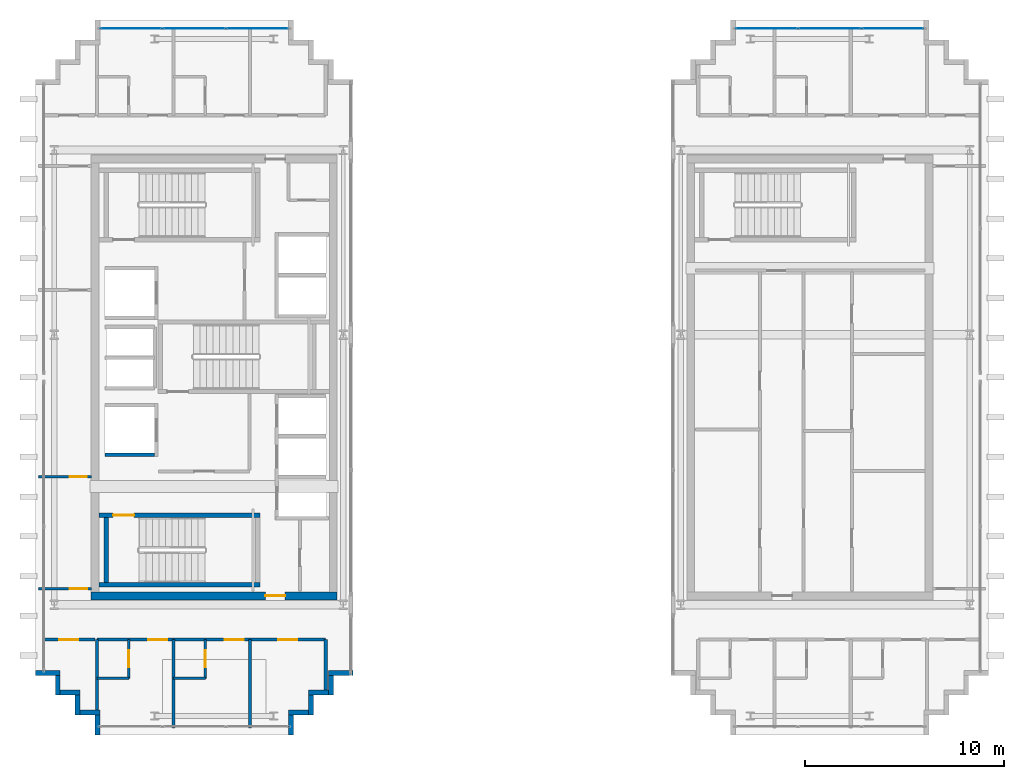
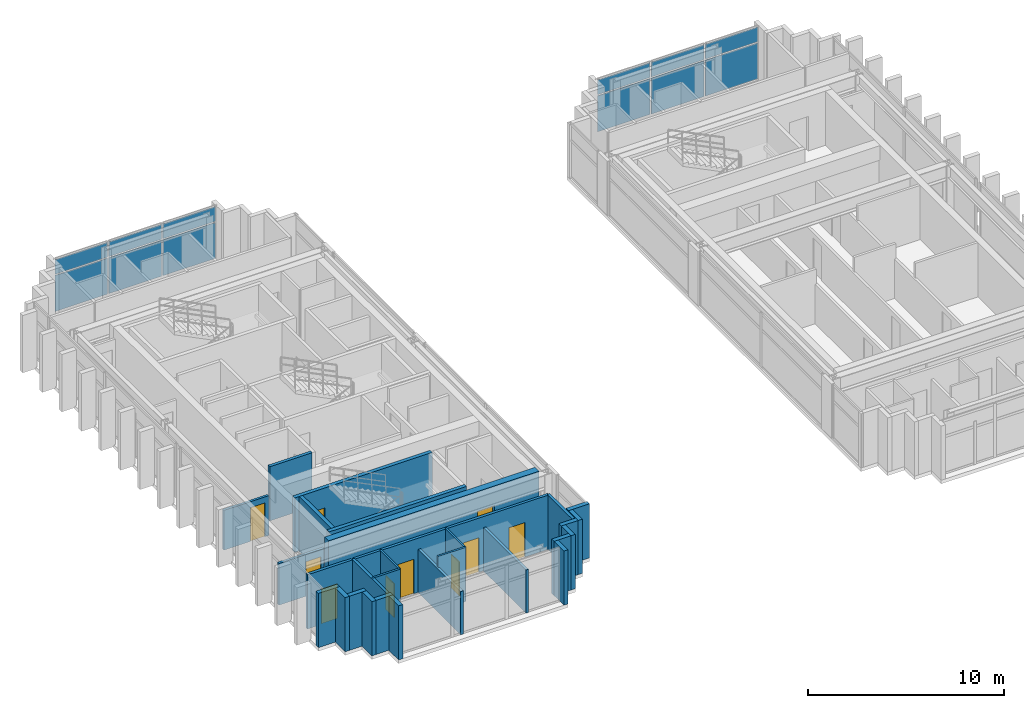
# One storey, part 19 of 25: 29 walls, 12 plates, 10 doors, 10 openings, 2 elements without a shape of their own.
"""IFC4 building model written with IfcOpenShell, lengths in metres."""

from ifc_helpers import new_model, si_unit, direction, frame, frame_2d, origin, origin_2d, place, context, subcontext, project, spatial, rectangle, extrude, source, transform, mapped, material, layer, layer_set, type_object, element, fill, aggregate, save


model = new_model("IFC4")

# Units and contexts
model_context = context("Model", 3, precision=1e-05, world=origin(), true_north=direction((0.0, 1.0)))
body_context = subcontext(model_context, "Body", "Model", "MODEL_VIEW")
ifc_project = project(units=[si_unit("LENGTHUNIT", "METRE"), si_unit("AREAUNIT", "SQUARE_METRE"), si_unit("VOLUMEUNIT", "CUBIC_METRE"), si_unit("PLANEANGLEUNIT", "RADIAN"), si_unit("MASSUNIT", "GRAM", prefix="KILO")], contexts=[model_context])

# Site, building, storey
site_placement = place(None, origin())
site = spatial("IfcSite", under=ifc_project, at=site_placement, CompositionType="ELEMENT")
building_placement = place(site_placement, origin())
building = spatial("IfcBuilding", under=site, at=building_placement, Name="Ocotamira Hotel", CompositionType="ELEMENT")
storey_placement = place(building_placement, frame((0.0, 0.0, 265.199951171875)))
storey = spatial("IfcBuildingStorey", under=building, at=storey_placement, Name="L67", CompositionType="ELEMENT", Elevation=265.199951171875)

# Curtain wall, plates
ifc_material_1 = material(Name="Anodised pale-metal aluminium and solar glass", Category="aluminium")
ifc_layer_1 = layer(ifc_material_1, 0.2099609375)
ifc_layer_set_1 = layer_set([ifc_layer_1], Name="Anodised pale-metal aluminium and solar glass")
curtain_wall_type = type_object("IfcCurtainWallType", Name="CW-SYS7-PEAK", PredefinedType="NOTDEFINED", material=ifc_layer_set_1)
curtain_wall_1_placement = place(storey_placement, origin())
curtain_wall_1 = element("IfcCurtainWall", 1, at=curtain_wall_1_placement, inside=storey, type_object=curtain_wall_type, Name="L67 Curtain Wall CW-7 CW-L67-WN", PredefinedType="NOTDEFINED")
ifc_material_2 = material(Name="Double-silver low-E insulated solar glass", Category="glass")
ifc_layer_2 = layer(ifc_material_2, 0.031982421875)
ifc_layer_set_2 = layer_set([ifc_layer_2], Name="Double-silver low-E insulated solar glass")
plate_type = type_object("IfcPlateType", Name="CWP-VISION-32", PredefinedType="CURTAIN_PANEL", material=ifc_layer_set_2)
shared_shape_1 = source(origin(), body_context, "Body", "SweptSolid", [
    extrude(rectangle(XDim=3.080078125, YDim=0.031982421875, at=origin_2d()), origin(), (0.0, 0.0, 1.0), 2.237548828125),
])
plate_1_placement = place(storey_placement, frame((12.820068359375, 43.580078125, 0.0751953125), z_axis=(0.0, 0.0, 1.0), x_axis=(1.0, 0.0, 0.0)))
plate_1 = element("IfcPlate", 2, at=plate_1_placement, type_object=plate_type, Name="CW-7 panel 1.1", PredefinedType="CURTAIN_PANEL", context=body_context, shape_type="MappedRepresentation", body=[
    mapped(shared_shape_1, transform((0.0, 0.0, 0.0), scale=1.0)),
])
plate_2_placement = place(storey_placement, frame((19.179931640625, 43.580078125, 0.0751953125), z_axis=(0.0, 0.0, 1.0), x_axis=(1.0, 0.0, 0.0)))
plate_2 = element("IfcPlate", 3, at=plate_2_placement, type_object=plate_type, Name="CW-7 panel 3.1", PredefinedType="CURTAIN_PANEL", context=body_context, shape_type="MappedRepresentation", body=[
    mapped(shared_shape_1, transform((0.0, 0.0, 0.0), scale=1.0)),
])

curtain_wall_2_placement = place(storey_placement, origin())
curtain_wall_2 = element("IfcCurtainWall", 4, at=curtain_wall_2_placement, inside=storey, type_object=curtain_wall_type, Name="L67 Curtain Wall CW-7 CW-L67-EN", PredefinedType="NOTDEFINED")
plate_3_placement = place(storey_placement, frame((44.820068359375, 43.580078125, 0.0751953125), z_axis=(0.0, 0.0, 1.0), x_axis=(1.0, 0.0, 0.0)))
plate_3 = element("IfcPlate", 5, at=plate_3_placement, type_object=plate_type, Name="CW-7 panel 1.1", PredefinedType="CURTAIN_PANEL", context=body_context, shape_type="MappedRepresentation", body=[
    mapped(shared_shape_1, transform((0.0, 0.0, 0.0), scale=1.0)),
])
plate_4_placement = place(storey_placement, frame((51.179931640625, 43.580078125, 0.0751953125), z_axis=(0.0, 0.0, 1.0), x_axis=(1.0, 0.0, 0.0)))
plate_4 = element("IfcPlate", 6, at=plate_4_placement, type_object=plate_type, Name="CW-7 panel 3.1", PredefinedType="CURTAIN_PANEL", context=body_context, shape_type="MappedRepresentation", body=[
    mapped(shared_shape_1, transform((0.0, 0.0, 0.0), scale=1.0)),
])

# Plate
shared_shape_2 = source(origin(), body_context, "Body", "SweptSolid", [
    extrude(rectangle(XDim=3.080078125, YDim=0.031982421875, at=origin_2d()), origin(), (0.0, 0.0, 1.0), 0.91748046875),
])
plate_5_placement = place(storey_placement, frame((12.820068359375, 43.580078125, 2.387451171875), z_axis=(0.0, 0.0, 1.0), x_axis=(1.0, 0.0, 0.0)))
plate_5 = element("IfcPlate", 7, at=plate_5_placement, type_object=plate_type, Name="CW-7 panel 1.2", PredefinedType="CURTAIN_PANEL", context=body_context, shape_type="MappedRepresentation", body=[
    mapped(shared_shape_2, transform((0.0, 0.0, 0.0), scale=1.0)),
])

plate_6_placement = place(storey_placement, frame((19.179931640625, 43.580078125, 2.387451171875), z_axis=(0.0, 0.0, 1.0), x_axis=(1.0, 0.0, 0.0)))
plate_6 = element("IfcPlate", 8, at=plate_6_placement, type_object=plate_type, Name="CW-7 panel 3.2", PredefinedType="CURTAIN_PANEL", context=body_context, shape_type="MappedRepresentation", body=[
    mapped(shared_shape_2, transform((0.0, 0.0, 0.0), scale=1.0)),
])

plate_7_placement = place(storey_placement, frame((44.820068359375, 43.580078125, 2.387451171875), z_axis=(0.0, 0.0, 1.0), x_axis=(1.0, 0.0, 0.0)))
plate_7 = element("IfcPlate", 9, at=plate_7_placement, type_object=plate_type, Name="CW-7 panel 1.2", PredefinedType="CURTAIN_PANEL", context=body_context, shape_type="MappedRepresentation", body=[
    mapped(shared_shape_2, transform((0.0, 0.0, 0.0), scale=1.0)),
])

plate_8_placement = place(storey_placement, frame((51.179931640625, 43.580078125, 2.387451171875), z_axis=(0.0, 0.0, 1.0), x_axis=(1.0, 0.0, 0.0)))
plate_8 = element("IfcPlate", 10, at=plate_8_placement, type_object=plate_type, Name="CW-7 panel 3.2", PredefinedType="CURTAIN_PANEL", context=body_context, shape_type="MappedRepresentation", body=[
    mapped(shared_shape_2, transform((0.0, 0.0, 0.0), scale=1.0)),
])

shared_shape_3 = source(origin(), body_context, "Body", "SweptSolid", [
    extrude(rectangle(XDim=3.1201171875, YDim=0.031982421875, at=origin_2d()), origin(), (0.0, 0.0, 1.0), 2.237548828125),
])
plate_9_placement = place(storey_placement, frame((16.0, 43.580078125, 0.0751953125), z_axis=(0.0, 0.0, 1.0), x_axis=(1.0, 0.0, 0.0)))
plate_9 = element("IfcPlate", 11, at=plate_9_placement, type_object=plate_type, Name="CW-7 panel 2.1", PredefinedType="CURTAIN_PANEL", context=body_context, shape_type="MappedRepresentation", body=[
    mapped(shared_shape_3, transform((0.0, 0.0, 0.0), scale=1.0)),
])

plate_10_placement = place(storey_placement, frame((48.0, 43.580078125, 0.0751953125), z_axis=(0.0, 0.0, 1.0), x_axis=(1.0, 0.0, 0.0)))
plate_10 = element("IfcPlate", 12, at=plate_10_placement, type_object=plate_type, Name="CW-7 panel 2.1", PredefinedType="CURTAIN_PANEL", context=body_context, shape_type="MappedRepresentation", body=[
    mapped(shared_shape_3, transform((0.0, 0.0, 0.0), scale=1.0)),
])

shared_shape_4 = source(origin(), body_context, "Body", "SweptSolid", [
    extrude(rectangle(XDim=3.1201171875, YDim=0.031982421875, at=origin_2d()), origin(), (0.0, 0.0, 1.0), 0.91748046875),
])
plate_11_placement = place(storey_placement, frame((16.0, 43.580078125, 2.387451171875), z_axis=(0.0, 0.0, 1.0), x_axis=(1.0, 0.0, 0.0)))
plate_11 = element("IfcPlate", 13, at=plate_11_placement, type_object=plate_type, Name="CW-7 panel 2.2", PredefinedType="CURTAIN_PANEL", context=body_context, shape_type="MappedRepresentation", body=[
    mapped(shared_shape_4, transform((0.0, 0.0, 0.0), scale=1.0)),
])

aggregate(curtain_wall_1, [plate_1, plate_5, plate_9, plate_11, plate_2, plate_6])

plate_12_placement = place(storey_placement, frame((48.0, 43.580078125, 2.387451171875), z_axis=(0.0, 0.0, 1.0), x_axis=(1.0, 0.0, 0.0)))
plate_12 = element("IfcPlate", 14, at=plate_12_placement, type_object=plate_type, Name="CW-7 panel 2.2", PredefinedType="CURTAIN_PANEL", context=body_context, shape_type="MappedRepresentation", body=[
    mapped(shared_shape_4, transform((0.0, 0.0, 0.0), scale=1.0)),
])

aggregate(curtain_wall_2, [plate_3, plate_7, plate_10, plate_12, plate_4, plate_8])

# Wall, opening, door
ifc_material_3 = material(Name="Concrete C50/60", Category="concrete")
ifc_layer_3 = layer(ifc_material_3, 0.39990234375)
ifc_layer_set_3 = layer_set([ifc_layer_3], Name="Concrete C50/60")
wall_type_1 = type_object("IfcWallType", Name="WL-CORE-400", PredefinedType="SHEAR", material=ifc_layer_set_3)
wall_1_placement = place(storey_placement, frame((10.800048828125, 15.0, 0.0), z_axis=(0.0, 0.0, 1.0), x_axis=(1.0, 0.0, 0.0)))
wall_1 = element("IfcWall", 15, at=wall_1_placement, inside=storey, type_object=wall_type_1, Name="L67 Shear Core Wall WCORE-S", PredefinedType="SHEAR", context=body_context, shape_type="SweptSolid", body=[
    extrude(rectangle(XDim=12.39990234375, YDim=0.39990234375, at=frame_2d((6.199951171875, 0.0))), origin(), (0.0, 0.0, 1.0), 3.380126953125),
])
opening_1_placement = place(wall_1_placement, frame((8.780029296875, 0.0, 0.0)))
opening_1 = element("IfcOpeningElement", 16, at=opening_1_placement, cuts=wall_1, Name="Opening D-FR2", PredefinedType="OPENING", context=body_context, shape_type="SweptSolid", body=[
    extrude(rectangle(XDim=1.0, YDim=2.14990234375, at=frame_2d((0.5, 1.074951171875))), frame((0.0, 0.2099609375, 0.0), z_axis=(0.0, -1.0, 0.0), x_axis=(1.0, 0.0, 0.0)), (0.0, 0.0, 1.0), 0.419921875),
])
ifc_material_4 = material(Name="Fire-rated acoustic timber-veneer door", Category="wood")
door_type_1 = type_object("IfcDoorType", Name="DR-FIRE-1000", OperationType="NOTDEFINED", PredefinedType="DOOR", material=ifc_material_4)
shared_shape_5 = source(origin(), body_context, "Body", "SweptSolid", [
    extrude(rectangle(XDim=1.0, YDim=2.14990234375, at=frame_2d((0.5, 1.074951171875))), frame((0.0, 0.02490234375, 0.0), z_axis=(0.0, -1.0, 0.0), x_axis=(1.0, 0.0, 0.0)), (0.0, 0.0, 1.0), 0.050048828125),
])
door_1_placement = place(opening_1_placement, origin())
door_1 = element("IfcDoor", 17, at=door_1_placement, inside=storey, type_object=door_type_1, Name="L67 Door ID-L67-WLOB-S-D [ID-L67-WLOB-S-D]", OperationType="SINGLE_SWING_LEFT", OverallHeight=2.14990234375, OverallWidth=1.0, PredefinedType="DOOR", context=body_context, shape_type="MappedRepresentation", body=[
    mapped(shared_shape_5, transform((0.0, 0.0, 0.0), scale=1.0)),
])
fill(opening_1, door_1)

# Walls
ifc_material_5 = material(Name="Precast concrete C45/55", Category="concrete")
ifc_layer_4 = layer(ifc_material_5, 0.25)
ifc_layer_set_4 = layer_set([ifc_layer_4], Name="Precast concrete C45/55")
wall_type_2 = type_object("IfcWallType", Name="WL-EXT-SER-250", PredefinedType="SOLIDWALL", material=ifc_layer_set_4)
for number, where, z_axis, x_axis, name in (
    (18, (20.875, 8.0, 0.0), (0.0, 0.0, 1.0), (0.0, 1.0, 0.0), "L67 -W Serrated Corner Wall 01"),
    (19, (20.75, 9.125, 0.0), (0.0, 0.0, 1.0), (1.0, 0.0, 0.0), "L67 -W Serrated Corner Wall 02"),
    (20, (21.875, 9.0, 0.0), (0.0, 0.0, 1.0), (0.0, 1.0, 0.0), "L67 -W Serrated Corner Wall 03"),
    (21, (21.75, 10.125, 0.0), (0.0, 0.0, 1.0), (1.0, 0.0, 0.0), "L67 -W Serrated Corner Wall 04"),
    (22, (22.875, 10.0, 0.0), (0.0, 0.0, 1.0), (0.0, 1.0, 0.0), "L67 -W Serrated Corner Wall 05"),
):
    element("IfcWall", number, at=place(storey_placement, frame(where, z_axis=z_axis, x_axis=x_axis)), inside=storey, type_object=wall_type_2, Name=name, PredefinedType="SOLIDWALL", context=body_context, shape_type="SweptSolid", body=[
        extrude(rectangle(XDim=1.0, YDim=0.25, at=frame_2d((0.5, 0.0))), origin(), (0.0, 0.0, 1.0), 3.380126953125),
    ])
for number, where, z_axis, x_axis, name in (
    (23, (22.75, 11.125, 0.0), (0.0, 0.0, 1.0), (1.0, 0.0, 0.0), "L67 -W Serrated Corner Wall 06"),
    (24, (8.0, 11.125, 0.0), (0.0, 0.0, 1.0), (1.0, 0.0, 0.0), "L67 -W Serrated Corner Wall 19"),
):
    element("IfcWall", number, at=place(storey_placement, frame(where, z_axis=z_axis, x_axis=x_axis)), inside=storey, type_object=wall_type_2, Name=name, PredefinedType="SOLIDWALL", context=body_context, shape_type="SweptSolid", body=[
        extrude(rectangle(XDim=1.25, YDim=0.25, at=frame_2d((0.625, 0.0))), origin(), (0.0, 0.0, 1.0), 3.380126953125),
    ])
for number, where, z_axis, x_axis, name in (
    (25, (9.125, 11.0, 0.0), (0.0, 0.0, 1.0), (0.0, -1.0, 0.0), "L67 -W Serrated Corner Wall 20"),
    (26, (9.25, 10.125, 0.0), (0.0, 0.0, 1.0), (1.0, 0.0, 0.0), "L67 -W Serrated Corner Wall 21"),
    (27, (10.125, 10.0, 0.0), (0.0, 0.0, 1.0), (0.0, -1.0, 0.0), "L67 -W Serrated Corner Wall 22"),
    (28, (10.25, 9.125, 0.0), (0.0, 0.0, 1.0), (1.0, 0.0, 0.0), "L67 -W Serrated Corner Wall 23"),
    (29, (11.125, 9.0, 0.0), (0.0, 0.0, 1.0), (0.0, -1.0, 0.0), "L67 -W Serrated Corner Wall 24"),
):
    element("IfcWall", number, at=place(storey_placement, frame(where, z_axis=z_axis, x_axis=x_axis)), inside=storey, type_object=wall_type_2, Name=name, PredefinedType="SOLIDWALL", context=body_context, shape_type="SweptSolid", body=[
        extrude(rectangle(XDim=1.0, YDim=0.25, at=frame_2d((0.5, 0.0))), origin(), (0.0, 0.0, 1.0), 3.380126953125),
    ])

# Wall, openings, doors
ifc_material_6 = material(Name="Acoustic double-layer fire gypsum board partition", Category="gypsum")
ifc_layer_5 = layer(ifc_material_6, 0.159912109375)
ifc_layer_set_5 = layer_set([ifc_layer_5], Name="Acoustic double-layer fire gypsum board partition")
wall_type_3 = type_object("IfcWallType", Name="WL-FIRE-160", PredefinedType="PARTITIONING", material=ifc_layer_set_5)
wall_2_placement = place(storey_placement, frame((11.10009765625, 12.800048828125, 0.0), z_axis=(0.0, 0.0, 1.0), x_axis=(1.0, 0.0, 0.0)))
wall_2 = element("IfcWall", 30, at=wall_2_placement, inside=storey, type_object=wall_type_3, Name="L67 Interior Wall PW-L67-SPW2S-CORRW", PredefinedType="PARTITIONING", context=body_context, shape_type="SweptSolid", body=[
    extrude(rectangle(XDim=11.52001953125, YDim=0.159912109375, at=frame_2d((5.760009765625, 0.0))), origin(), (0.0, 0.0, 1.0), 3.380126953125),
])
opening_2_placement = place(wall_2_placement, frame((2.590087890625, 0.0, 0.0)))
opening_2 = element("IfcOpeningElement", 31, at=opening_2_placement, cuts=wall_2, Name="Opening D-GR1", PredefinedType="OPENING", context=body_context, shape_type="SweptSolid", body=[
    extrude(rectangle(XDim=0.93994140625, YDim=2.14990234375, at=frame_2d((0.469970703125, 1.074951171875))), frame((0.0, 0.08984375, 0.0), z_axis=(0.0, -1.0, 0.0), x_axis=(1.0, 0.0, 0.0)), (0.0, 0.0, 1.0), 0.179931640625),
])
opening_3_placement = place(wall_2_placement, frame((6.43994140625, 0.0, 0.0)))
opening_3 = element("IfcOpeningElement", 32, at=opening_3_placement, cuts=wall_2, Name="Opening D-GR1", PredefinedType="OPENING", context=body_context, shape_type="SweptSolid", body=[
    extrude(rectangle(XDim=0.93994140625, YDim=2.14990234375, at=frame_2d((0.469970703125, 1.074951171875))), frame((0.0, 0.08984375, 0.0), z_axis=(0.0, -1.0, 0.0), x_axis=(1.0, 0.0, 0.0)), (0.0, 0.0, 1.0), 0.179931640625),
])
opening_4_placement = place(wall_2_placement, frame((9.1298828125, 0.0, 0.0)))
opening_4 = element("IfcOpeningElement", 33, at=opening_4_placement, cuts=wall_2, Name="Opening D-SV4", PredefinedType="OPENING", context=body_context, shape_type="SweptSolid", body=[
    extrude(rectangle(XDim=0.9599609375, YDim=2.14990234375, at=frame_2d((0.47998046875, 1.074951171875))), frame((0.0, 0.08984375, 0.0), z_axis=(0.0, -1.0, 0.0), x_axis=(1.0, 0.0, 0.0)), (0.0, 0.0, 1.0), 0.179931640625),
])
ifc_material_7 = material(Name="Fire-rated accessible walnut salon door", Category="wood")
door_type_2 = type_object("IfcDoorType", Name="DR-SERV-960", OperationType="NOTDEFINED", PredefinedType="DOOR", material=ifc_material_7)
shared_shape_6 = source(origin(), body_context, "Body", "SweptSolid", [
    extrude(rectangle(XDim=0.9599609375, YDim=2.14990234375, at=frame_2d((0.47998046875, 1.074951171875))), frame((0.0, 0.02490234375, 0.0), z_axis=(0.0, -1.0, 0.0), x_axis=(1.0, 0.0, 0.0)), (0.0, 0.0, 1.0), 0.050048828125),
])
door_2_placement = place(opening_4_placement, origin())
door_2 = element("IfcDoor", 34, at=door_2_placement, inside=storey, type_object=door_type_2, Name="L67 Door ID-L67-SPW2S-AMD3 [ID-L67-SPW2S-AMD3]", OperationType="SINGLE_SWING_LEFT", OverallHeight=2.14990234375, OverallWidth=0.9599609375, PredefinedType="DOOR", context=body_context, shape_type="MappedRepresentation", body=[
    mapped(shared_shape_6, transform((0.0, 0.0, 0.0), scale=1.0)),
])
fill(opening_4, door_2)
ifc_material_8 = material(Name="Solid-core walnut suite entrance fire door", Category="wood")
door_type_3 = type_object("IfcDoorType", Name="DR-GUEST-940", OperationType="NOTDEFINED", PredefinedType="DOOR", material=ifc_material_8)
shared_shape_7 = source(origin(), body_context, "Body", "SweptSolid", [
    extrude(rectangle(XDim=0.93994140625, YDim=2.14990234375, at=frame_2d((0.469970703125, 1.074951171875))), frame((0.0, 0.02490234375, 0.0), z_axis=(0.0, -1.0, 0.0), x_axis=(1.0, 0.0, 0.0)), (0.0, 0.0, 1.0), 0.050048828125),
])
door_3_placement = place(opening_2_placement, origin())
door_3 = element("IfcDoor", 35, at=door_3_placement, inside=storey, type_object=door_type_3, Name="L67 Door ID-L67-SPW2S-RMD1 [ID-L67-SPW2S-RMD1]", OperationType="SINGLE_SWING_LEFT", OverallHeight=2.14990234375, OverallWidth=0.93994140625, PredefinedType="DOOR", context=body_context, shape_type="MappedRepresentation", body=[
    mapped(shared_shape_7, transform((0.0, 0.0, 0.0), scale=1.0)),
])
fill(opening_2, door_3)
door_4_placement = place(opening_3_placement, origin())
door_4 = element("IfcDoor", 36, at=door_4_placement, inside=storey, type_object=door_type_3, Name="L67 Door ID-L67-SPW2S-RMD2 [ID-L67-SPW2S-RMD2]", OperationType="SINGLE_SWING_RIGHT", OverallHeight=2.14990234375, OverallWidth=0.93994140625, PredefinedType="DOOR", context=body_context, shape_type="MappedRepresentation", body=[
    mapped(shared_shape_7, transform((0.0, 0.0, 0.0), scale=1.0)),
])
fill(opening_3, door_4)

# Wall, opening, door
wall_3_placement = place(storey_placement, frame((8.35009765625, 12.800048828125, 0.0), z_axis=(0.0, 0.0, 1.0), x_axis=(1.0, 0.0, 0.0)))
wall_3 = element("IfcWall", 37, at=wall_3_placement, inside=storey, type_object=wall_type_3, Name="L67 Interior Wall PW-L67-SPCSW2-CW", PredefinedType="PARTITIONING", context=body_context, shape_type="SweptSolid", body=[
    extrude(rectangle(XDim=2.64990234375, YDim=0.159912109375, at=frame_2d((1.324951171875, 0.0))), origin(), (0.0, 0.0, 1.0), 3.380126953125),
])
opening_5_placement = place(wall_3_placement, frame((0.844970703125, 0.0, 0.0)))
opening_5 = element("IfcOpeningElement", 38, at=opening_5_placement, cuts=wall_3, Name="Opening D-SV4", PredefinedType="OPENING", context=body_context, shape_type="SweptSolid", body=[
    extrude(rectangle(XDim=0.9599609375, YDim=2.14990234375, at=frame_2d((0.47998046875, 1.074951171875))), frame((0.0, 0.08984375, 0.0), z_axis=(0.0, -1.0, 0.0), x_axis=(1.0, 0.0, 0.0)), (0.0, 0.0, 1.0), 0.179931640625),
])
door_5_placement = place(opening_5_placement, origin())
door_5 = element("IfcDoor", 39, at=door_5_placement, inside=storey, type_object=door_type_2, Name="L67 Door ID-L67-SPCSW2-CD [ID-L67-SPCSW2-CD]", OperationType="SINGLE_SWING_LEFT", OverallHeight=2.14990234375, OverallWidth=0.9599609375, PredefinedType="DOOR", context=body_context, shape_type="MappedRepresentation", body=[
    mapped(shared_shape_6, transform((0.0, 0.0, 0.0), scale=1.0)),
])
fill(opening_5, door_5)

ifc_material_9 = material(Name="Moisture-resistant en-suite tile and gypsum partition", Category="gypsum")
ifc_layer_6 = layer(ifc_material_9, 0.1201171875)
ifc_layer_set_6 = layer_set([ifc_layer_6], Name="Moisture-resistant en-suite tile and gypsum partition")
wall_type_4 = type_object("IfcWallType", Name="WL-PART-120", PredefinedType="PARTITIONING", material=ifc_layer_set_6)
wall_4_placement = place(storey_placement, frame((12.7099609375, 10.85009765625, 0.0), z_axis=(0.0, 0.0, 1.0), x_axis=(0.0, 1.0, 0.0)))
wall_4 = element("IfcWall", 40, at=wall_4_placement, inside=storey, type_object=wall_type_4, Name="L67 Interior Wall PW-L67-SPW2S-BAE1", PredefinedType="PARTITIONING", context=body_context, shape_type="SweptSolid", body=[
    extrude(rectangle(XDim=1.949951171875, YDim=0.1201171875, at=frame_2d((0.97509765625, 0.0))), origin(), (0.0, 0.0, 1.0), 3.380126953125),
])
opening_6_placement = place(wall_4_placement, frame((0.544921875, 0.0, 0.0)))
opening_6 = element("IfcOpeningElement", 41, at=opening_6_placement, cuts=wall_4, Name="Opening D-BA1", PredefinedType="OPENING", context=body_context, shape_type="SweptSolid", body=[
    extrude(rectangle(XDim=0.860107421875, YDim=2.10009765625, at=frame_2d((0.43017578125, 1.050048828125))), frame((0.0, 0.070068359375, 0.0), z_axis=(0.0, -1.0, 0.0), x_axis=(1.0, 0.0, 0.0)), (0.0, 0.0, 1.0), 0.14013671875),
])
ifc_material_10 = material(Name="Moisture-sealed en-suite timber door", Category="wood")
door_type_4 = type_object("IfcDoorType", Name="DR-BATH-860", OperationType="NOTDEFINED", PredefinedType="DOOR", material=ifc_material_10)
shared_shape_8 = source(origin(), body_context, "Body", "SweptSolid", [
    extrude(rectangle(XDim=0.860107421875, YDim=2.10009765625, at=frame_2d((0.43017578125, 1.050048828125))), frame((0.0, 0.02490234375, 0.0), z_axis=(0.0, -1.0, 0.0), x_axis=(1.0, 0.0, 0.0)), (0.0, 0.0, 1.0), 0.050048828125),
])
door_6_placement = place(opening_6_placement, origin())
door_6 = element("IfcDoor", 42, at=door_6_placement, inside=storey, type_object=door_type_4, Name="L67 Door ID-L67-SPW2S-BAD1 [ID-L67-SPW2S-BAD1]", OperationType="SINGLE_SWING_RIGHT", OverallHeight=2.10009765625, OverallWidth=0.860107421875, PredefinedType="DOOR", context=body_context, shape_type="MappedRepresentation", body=[
    mapped(shared_shape_8, transform((0.0, 0.0, 0.0), scale=1.0)),
])
fill(opening_6, door_6)

# Wall
wall_5_placement = place(storey_placement, frame((11.10009765625, 10.85009765625, 0.0), z_axis=(0.0, 0.0, 1.0), x_axis=(1.0, 0.0, 0.0)))
element("IfcWall", 43, at=wall_5_placement, inside=storey, type_object=wall_type_4, Name="L67 Interior Wall PW-L67-SPW2S-BAS1", PredefinedType="PARTITIONING", context=body_context, shape_type="SweptSolid", body=[
    extrude(rectangle(XDim=1.60986328125, YDim=0.1201171875, at=frame_2d((0.804931640625, 0.0))), origin(), (0.0, 0.0, 1.0), 3.380126953125),
])

# Wall, opening, door
wall_6_placement = place(storey_placement, frame((16.56005859375, 10.85009765625, 0.0), z_axis=(0.0, 0.0, 1.0), x_axis=(0.0, 1.0, 0.0)))
wall_6 = element("IfcWall", 44, at=wall_6_placement, inside=storey, type_object=wall_type_4, Name="L67 Interior Wall PW-L67-SPW2S-BAE2", PredefinedType="PARTITIONING", context=body_context, shape_type="SweptSolid", body=[
    extrude(rectangle(XDim=1.949951171875, YDim=0.1201171875, at=frame_2d((0.97509765625, 0.0))), origin(), (0.0, 0.0, 1.0), 3.380126953125),
])
opening_7_placement = place(wall_6_placement, frame((0.544921875, 0.0, 0.0)))
opening_7 = element("IfcOpeningElement", 45, at=opening_7_placement, cuts=wall_6, Name="Opening D-BA1", PredefinedType="OPENING", context=body_context, shape_type="SweptSolid", body=[
    extrude(rectangle(XDim=0.860107421875, YDim=2.10009765625, at=frame_2d((0.43017578125, 1.050048828125))), frame((0.0, 0.070068359375, 0.0), z_axis=(0.0, -1.0, 0.0), x_axis=(1.0, 0.0, 0.0)), (0.0, 0.0, 1.0), 0.14013671875),
])
door_7_placement = place(opening_7_placement, origin())
door_7 = element("IfcDoor", 46, at=door_7_placement, inside=storey, type_object=door_type_4, Name="L67 Door ID-L67-SPW2S-BAD2 [ID-L67-SPW2S-BAD2]", OperationType="SINGLE_SWING_LEFT", OverallHeight=2.10009765625, OverallWidth=0.860107421875, PredefinedType="DOOR", context=body_context, shape_type="MappedRepresentation", body=[
    mapped(shared_shape_8, transform((0.0, 0.0, 0.0), scale=1.0)),
])
fill(opening_7, door_7)

# Wall
wall_7_placement = place(storey_placement, frame((14.949951171875, 10.85009765625, 0.0), z_axis=(0.0, 0.0, 1.0), x_axis=(1.0, 0.0, 0.0)))
element("IfcWall", 47, at=wall_7_placement, inside=storey, type_object=wall_type_4, Name="L67 Interior Wall PW-L67-SPW2S-BAS2", PredefinedType="PARTITIONING", context=body_context, shape_type="SweptSolid", body=[
    extrude(rectangle(XDim=1.610107421875, YDim=0.1201171875, at=frame_2d((0.80517578125, 0.0))), origin(), (0.0, 0.0, 1.0), 3.380126953125),
])

# Wall, opening, door
ifc_material_11 = material(Name="Acoustic hospitality gypsum board partition", Category="gypsum")
ifc_layer_7 = layer(ifc_material_11, 0.14208984375)
ifc_layer_set_7 = layer_set([ifc_layer_7], Name="Acoustic hospitality gypsum board partition")
wall_type_5 = type_object("IfcWallType", Name="WL-PART-142", PredefinedType="PARTITIONING", material=ifc_layer_set_7)
wall_8_placement = place(storey_placement, frame((8.159912109375, 21.0, 0.0), z_axis=(0.0, 0.0, 1.0), x_axis=(1.0, 0.0, 0.0)))
wall_8 = element("IfcWall", 48, at=wall_8_placement, inside=storey, type_object=wall_type_5, Name="L67 Interior Wall PW-L67-SP2W-DV1", PredefinedType="PARTITIONING", context=body_context, shape_type="SweptSolid", body=[
    extrude(rectangle(XDim=2.66015625, YDim=0.14208984375, at=frame_2d((1.330078125, 0.0))), origin(), (0.0, 0.0, 1.0), 2.47998046875),
])
opening_8_placement = place(wall_8_placement, frame((1.580078125, 0.0, 0.0)))
opening_8 = element("IfcOpeningElement", 49, at=opening_8_placement, cuts=wall_8, Name="Opening D-SV1", PredefinedType="OPENING", context=body_context, shape_type="SweptSolid", body=[
    extrude(rectangle(XDim=0.840087890625, YDim=2.10009765625, at=frame_2d((0.419921875, 1.050048828125))), frame((0.0, 0.0810546875, 0.0), z_axis=(0.0, -1.0, 0.0), x_axis=(1.0, 0.0, 0.0)), (0.0, 0.0, 1.0), 0.162109375),
])
ifc_material_12 = material(Name="Fire-rated painted steel service door", Category="steel")
door_type_5 = type_object("IfcDoorType", Name="DR-SERV-840", OperationType="NOTDEFINED", PredefinedType="DOOR", material=ifc_material_12)
shared_shape_9 = source(origin(), body_context, "Body", "SweptSolid", [
    extrude(rectangle(XDim=0.840087890625, YDim=2.10009765625, at=frame_2d((0.419921875, 1.050048828125))), frame((0.0, 0.02490234375, 0.0), z_axis=(0.0, -1.0, 0.0), x_axis=(1.0, 0.0, 0.0)), (0.0, 0.0, 1.0), 0.050048828125),
])
door_8_placement = place(opening_8_placement, origin())
door_8 = element("IfcDoor", 50, at=door_8_placement, inside=storey, type_object=door_type_5, Name="L67 Door ID-L67-SP2W-DV1D [ID-L67-SP2W-DV1D]", OperationType="SINGLE_SWING_LEFT", OverallHeight=2.10009765625, OverallWidth=0.840087890625, PredefinedType="DOOR", context=body_context, shape_type="MappedRepresentation", body=[
    mapped(shared_shape_9, transform((0.0, 0.0, 0.0), scale=1.0)),
])
fill(opening_8, door_8)

ifc_layer_8 = layer(ifc_material_11, 0.14990234375)
ifc_layer_set_8 = layer_set([ifc_layer_8], Name="Acoustic hospitality gypsum board partition")
wall_type_6 = type_object("IfcWallType", Name="WL-PART-150", PredefinedType="PARTITIONING", material=ifc_layer_set_8)
wall_9_placement = place(storey_placement, frame((8.159912109375, 15.360107421875, 0.0), z_axis=(0.0, 0.0, 1.0), x_axis=(1.0, 0.0, 0.0)))
wall_9 = element("IfcWall", 51, at=wall_9_placement, inside=storey, type_object=wall_type_6, Name="L67 Interior Wall PW-L67-SP2W-WS", PredefinedType="PARTITIONING", context=body_context, shape_type="SweptSolid", body=[
    extrude(rectangle(XDim=2.66015625, YDim=0.14990234375, at=frame_2d((1.330078125, 0.0))), origin(), (0.0, 0.0, 1.0), 2.60107421875),
])
opening_9_placement = place(wall_9_placement, frame((1.580078125, 0.0, 0.0)))
opening_9 = element("IfcOpeningElement", 52, at=opening_9_placement, cuts=wall_9, Name="Opening D-SV2", PredefinedType="OPENING", context=body_context, shape_type="SweptSolid", body=[
    extrude(rectangle(XDim=0.8798828125, YDim=2.14990234375, at=frame_2d((0.43994140625, 1.074951171875))), frame((0.0, 0.0849609375, 0.0), z_axis=(0.0, -1.0, 0.0), x_axis=(1.0, 0.0, 0.0)), (0.0, 0.0, 1.0), 0.169921875),
])
door_type_6 = type_object("IfcDoorType", Name="DR-SERV-880", OperationType="NOTDEFINED", PredefinedType="DOOR", material=ifc_material_12)
shared_shape_10 = source(origin(), body_context, "Body", "SweptSolid", [
    extrude(rectangle(XDim=0.8798828125, YDim=2.14990234375, at=frame_2d((0.43994140625, 1.074951171875))), frame((0.0, 0.02490234375, 0.0), z_axis=(0.0, -1.0, 0.0), x_axis=(1.0, 0.0, 0.0)), (0.0, 0.0, 1.0), 0.050048828125),
])
door_9_placement = place(opening_9_placement, origin())
door_9 = element("IfcDoor", 53, at=door_9_placement, inside=storey, type_object=door_type_6, Name="L67 Door ID-L67-SP2W-DS [ID-L67-SP2W-DS]", OperationType="SINGLE_SWING_LEFT", OverallHeight=2.14990234375, OverallWidth=0.8798828125, PredefinedType="DOOR", context=body_context, shape_type="MappedRepresentation", body=[
    mapped(shared_shape_10, transform((0.0, 0.0, 0.0), scale=1.0)),
])
fill(opening_9, door_9)

# Walls
ifc_material_13 = material(Name="Acoustic double-stud hospitality gypsum partition", Category="gypsum")
ifc_layer_9 = layer(ifc_material_13, 0.159912109375)
ifc_layer_set_9 = layer_set([ifc_layer_9], Name="Acoustic double-stud hospitality gypsum partition")
wall_type_7 = type_object("IfcWallType", Name="WL-PART-160", PredefinedType="PARTITIONING", material=ifc_layer_set_9)
wall_10_placement = place(storey_placement, frame((11.10009765625, 9.260009765625, 0.0), z_axis=(0.0, 0.0, 1.0), x_axis=(0.0, 1.0, 0.0)))
element("IfcWall", 54, at=wall_10_placement, inside=storey, type_object=wall_type_7, Name="L67 Interior Wall PW-L67-SPW2S-PW0", PredefinedType="PARTITIONING", context=body_context, shape_type="SweptSolid", body=[
    extrude(rectangle(XDim=3.5400390625, YDim=0.159912109375, at=frame_2d((1.77001953125, 0.0))), origin(), (0.0, 0.0, 1.0), 3.380126953125),
])
wall_11_placement = place(storey_placement, frame((22.6201171875, 10.260009765625, 0.0), z_axis=(0.0, 0.0, 1.0), x_axis=(0.0, 1.0, 0.0)))
element("IfcWall", 55, at=wall_11_placement, inside=storey, type_object=wall_type_7, Name="L67 Interior Wall PW-L67-SPW2S-PWEND", PredefinedType="PARTITIONING", context=body_context, shape_type="SweptSolid", body=[
    extrude(rectangle(XDim=2.5400390625, YDim=0.159912109375, at=frame_2d((1.27001953125, 0.0))), origin(), (0.0, 0.0, 1.0), 3.380126953125),
])
for number, where, z_axis, x_axis, name in (
    (56, (14.949951171875, 8.360107421875, 0.0), (0.0, 0.0, 1.0), (0.0, 1.0, 0.0), "L67 Interior Wall PW-L67-SPW2S-PW1"),
    (57, (18.800048828125, 8.360107421875, 0.0), (0.0, 0.0, 1.0), (0.0, 1.0, 0.0), "L67 Interior Wall PW-L67-SPW2S-PW2"),
):
    element("IfcWall", number, at=place(storey_placement, frame(where, z_axis=z_axis, x_axis=x_axis)), inside=storey, type_object=wall_type_7, Name=name, PredefinedType="PARTITIONING", context=body_context, shape_type="SweptSolid", body=[
        extrude(rectangle(XDim=4.43994140625, YDim=0.159912109375, at=frame_2d((2.219970703125, 0.0))), origin(), (0.0, 0.0, 1.0), 2.68701171875),
    ])
ifc_material_14 = material(Name="Fire-rated gypsum shaftliner board assembly", Category="gypsum")
ifc_layer_10 = layer(ifc_material_14, 0.179931640625)
ifc_layer_set_10 = layer_set([ifc_layer_10], Name="Fire-rated gypsum shaftliner board assembly")
wall_type_8 = type_object("IfcWallType", Name="WL-SHAFT-180", PredefinedType="SOLIDWALL", material=ifc_layer_set_10)
wall_12_placement = place(storey_placement, frame((11.5, 22.110107421875, 0.0), z_axis=(0.0, 0.0, 1.0), x_axis=(1.0, 0.0, 0.0)))
element("IfcWall", 58, at=wall_12_placement, inside=storey, type_object=wall_type_8, Name="L67 Interior Wall PW-L67-LFW-LF-FSAE1-S", PredefinedType="SOLIDWALL", context=body_context, shape_type="SweptSolid", body=[
    extrude(rectangle(XDim=2.5, YDim=0.179931640625, at=frame_2d((1.25, 0.0))), origin(), (0.0, 0.0, 1.0), 3.380126953125),
])
ifc_layer_11 = layer(ifc_material_3, 0.219970703125)
ifc_layer_set_11 = layer_set([ifc_layer_11], Name="Concrete C50/60")
wall_type_9 = type_object("IfcWallType", Name="WL-STAIR-220", PredefinedType="SHEAR", material=ifc_layer_set_11)
wall_13_placement = place(storey_placement, frame((11.199951171875, 15.56005859375, 0.0), z_axis=(0.0, 0.0, 1.0), x_axis=(1.0, 0.0, 0.0)))
element("IfcWall", 59, at=wall_13_placement, inside=storey, type_object=wall_type_9, Name="L67 Stair Shaft Structural Wall ST-1-S", PredefinedType="SHEAR", context=body_context, shape_type="SweptSolid", body=[
    extrude(rectangle(XDim=8.110107421875, YDim=0.219970703125, at=frame_2d((4.05517578125, 0.0))), origin(), (0.0, 0.0, 1.0), 3.400146484375),
])

# Wall, opening, door
wall_14_placement = place(storey_placement, frame((11.199951171875, 19.06005859375, 0.0), z_axis=(0.0, 0.0, 1.0), x_axis=(1.0, 0.0, 0.0)))
wall_14 = element("IfcWall", 60, at=wall_14_placement, inside=storey, type_object=wall_type_9, Name="L67 Stair Shaft Structural Wall ST-1-N", PredefinedType="SHEAR", context=body_context, shape_type="SweptSolid", body=[
    extrude(rectangle(XDim=8.110107421875, YDim=0.219970703125, at=frame_2d((4.05517578125, 0.0))), origin(), (0.0, 0.0, 1.0), 3.400146484375),
])
opening_10_placement = place(wall_14_placement, frame((0.719970703125, 0.0, 0.0)))
opening_10 = element("IfcOpeningElement", 61, at=opening_10_placement, cuts=wall_14, Name="Opening D-ST2", PredefinedType="OPENING", context=body_context, shape_type="SweptSolid", body=[
    extrude(rectangle(XDim=1.050048828125, YDim=2.14990234375, at=frame_2d((0.52490234375, 1.074951171875))), frame((0.0, 0.1201171875, 0.0), z_axis=(0.0, -1.0, 0.0), x_axis=(1.0, 0.0, 0.0)), (0.0, 0.0, 1.0), 0.239990234375),
])
ifc_material_15 = material(Name="Insulated painted hollow-metal fire exit door", Category="steel")
door_type_7 = type_object("IfcDoorType", Name="DR-STAIR-1050", OperationType="NOTDEFINED", PredefinedType="DOOR", material=ifc_material_15)
shared_shape_11 = source(origin(), body_context, "Body", "SweptSolid", [
    extrude(rectangle(XDim=1.050048828125, YDim=2.14990234375, at=frame_2d((0.52490234375, 1.074951171875))), frame((0.0, 0.02490234375, 0.0), z_axis=(0.0, -1.0, 0.0), x_axis=(1.0, 0.0, 0.0)), (0.0, 0.0, 1.0), 0.050048828125),
])
door_10_placement = place(opening_10_placement, origin())
door_10 = element("IfcDoor", 62, at=door_10_placement, inside=storey, type_object=door_type_7, Name="L67 Door ID-L67-STD-ST-1 [ID-L67-STD-ST-1]", OperationType="SINGLE_SWING_RIGHT", OverallHeight=2.14990234375, OverallWidth=1.050048828125, PredefinedType="DOOR", context=body_context, shape_type="MappedRepresentation", body=[
    mapped(shared_shape_11, transform((0.0, 0.0, 0.0), scale=1.0)),
])
fill(opening_10, door_10)

# Wall
wall_15_placement = place(storey_placement, frame((11.56005859375, 15.669921875, 0.0), z_axis=(0.0, 0.0, 1.0), x_axis=(0.0, 1.0, 0.0)))
element("IfcWall", 63, at=wall_15_placement, inside=storey, type_object=wall_type_9, Name="L67 Stair Shaft Structural Wall ST-1-W", PredefinedType="SHEAR", context=body_context, shape_type="SweptSolid", body=[
    extrude(rectangle(XDim=3.280029296875, YDim=0.219970703125, at=frame_2d((1.64013671875, 0.0))), origin(), (0.0, 0.0, 1.0), 3.400146484375),
])

save(model, "model.ifc")
